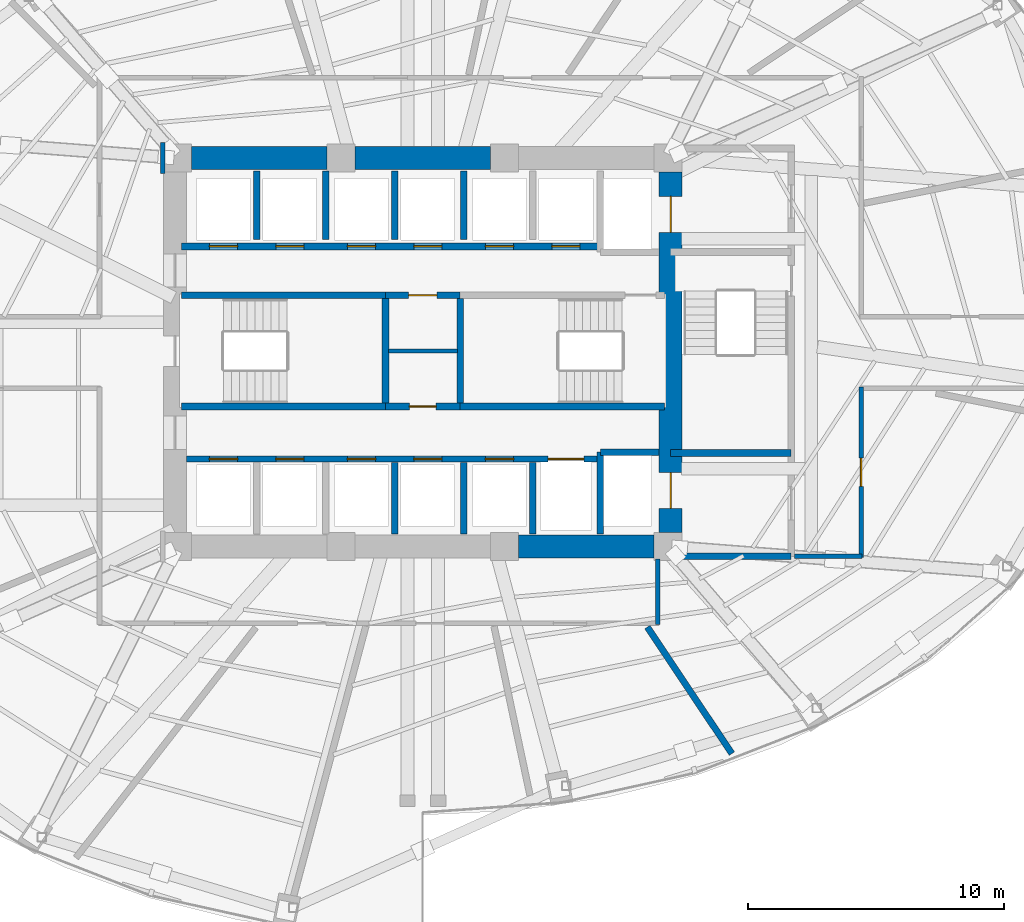
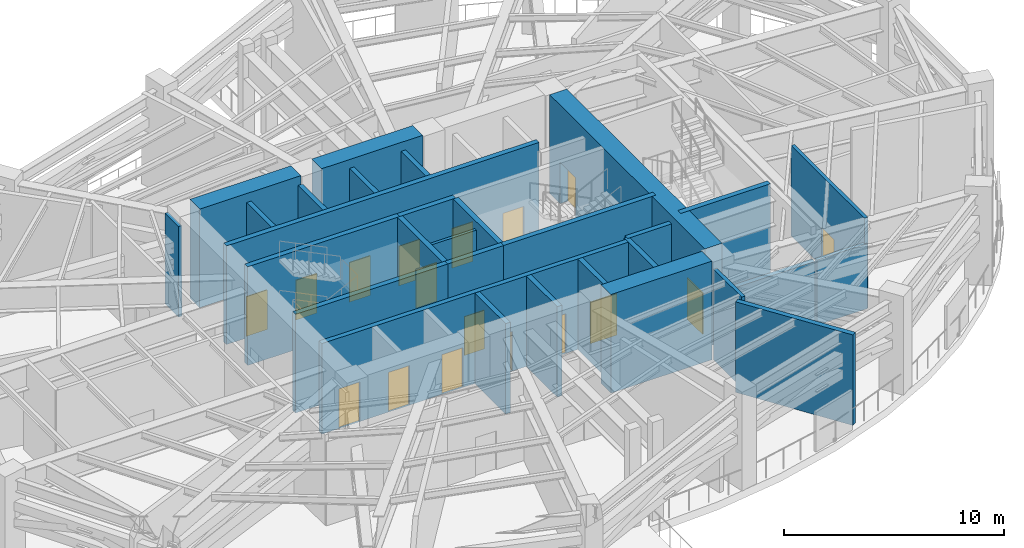
# One storey, part 9 of 14: 30 walls, 17 doors, 17 openings.
"""IFC4 building model written with IfcOpenShell, lengths in metres."""

from ifc_helpers import new_model, si_unit, direction, frame, frame_2d, origin, place, context, subcontext, project, spatial, rectangle, extrude, material, layer, layer_set, type_object, element, fill, save


model = new_model("IFC4")

# Units and contexts
model_context = context("Model", 3, precision=1e-05, world=origin(), true_north=direction((0.0, 1.0)))
body_context = subcontext(model_context, "Body", "Model", "MODEL_VIEW")
ifc_project = project(units=[si_unit("LENGTHUNIT", "METRE"), si_unit("AREAUNIT", "SQUARE_METRE"), si_unit("VOLUMEUNIT", "CUBIC_METRE"), si_unit("PLANEANGLEUNIT", "RADIAN"), si_unit("MASSUNIT", "GRAM", prefix="KILO")], contexts=[model_context])

# Site, building, storey
site_placement = place(None, origin())
site = spatial("IfcSite", under=ifc_project, at=site_placement, CompositionType="ELEMENT")
building_placement = place(site_placement, origin())
building = spatial("IfcBuilding", under=site, at=building_placement, Name="Lazwardi Medical Tower", CompositionType="ELEMENT")
storey_placement = place(building_placement, frame((0.0, 0.0, 76.27197265625)))
storey = spatial("IfcBuildingStorey", under=building, at=storey_placement, Name="L19", CompositionType="ELEMENT", Elevation=76.27197265625)

# Wall, opening, door
ifc_material_1 = material(Name="Fire-rated gypsum board on steel stud", Category="steel")
ifc_layer_1 = layer(ifc_material_1, 0.179931640625)
ifc_layer_set_1 = layer_set([ifc_layer_1], Name="Fire-rated gypsum board on steel stud")
wall_type_1 = type_object("IfcWallType", Name="WL-COR-180", PredefinedType="PARTITIONING", material=ifc_layer_set_1)
wall_1_placement = place(storey_placement, frame((53.14990234375, 26.639892578125, 0.0), z_axis=(0.0, 0.0, 1.0), x_axis=(0.0, -1.0, 0.0)))
wall_1 = element("IfcWall", 1, at=wall_1_placement, inside=storey, type_object=wall_type_1, Name="L19 Corridor partition 10", PredefinedType="PARTITIONING", context=body_context, shape_type="SweptSolid", body=[
    extrude(rectangle(XDim=6.659912109375, YDim=0.179931640625, at=frame_2d((3.330078125, 0.0))), origin(), (0.0, 0.0, 1.0), 5.02197265625),
])
opening_1_placement = place(wall_1_placement, frame((2.780029296875, 0.0, 0.0)))
opening_1 = element("IfcOpeningElement", 2, at=opening_1_placement, cuts=wall_1, Name="Opening D-L19-012", PredefinedType="OPENING", context=body_context, shape_type="SweptSolid", body=[
    extrude(rectangle(XDim=1.10009765625, YDim=2.14990234375, at=frame_2d((0.550048828125, 1.074951171875))), frame((0.0, 0.099853515625, 0.0), z_axis=(0.0, -1.0, 0.0), x_axis=(1.0, 0.0, 0.0)), (0.0, 0.0, 1.0), 0.199951171875),
])
ifc_material_2 = material(Name="Fire-rated steel leaf and frame", Category="steel")
door_type_1 = type_object("IfcDoorType", Name="DR-PLT-1100", OperationType="NOTDEFINED", PredefinedType="DOOR", material=ifc_material_2)
door_1_placement = place(opening_1_placement, origin())
door_1 = element("IfcDoor", 3, at=door_1_placement, inside=storey, type_object=door_type_1, Name="L19 Pump Room Door 06", OperationType="SINGLE_SWING_LEFT", OverallHeight=2.14990234375, OverallWidth=1.10009765625, PredefinedType="DOOR", context=body_context, shape_type="SweptSolid", body=[
    extrude(rectangle(XDim=1.10009765625, YDim=2.14990234375, at=frame_2d((0.550048828125, 1.074951171875))), frame((0.0, 0.02490234375, 0.0), z_axis=(0.0, -1.0, 0.0), x_axis=(1.0, 0.0, 0.0)), (0.0, 0.0, 1.0), 0.050048828125),
])
fill(opening_1, door_1)

# Walls
wall_2_placement = place(storey_placement, frame((53.18994140625, 20.02001953125, 0.0), z_axis=(0.0, 0.0, 1.0), x_axis=(-1.0, 0.0, 0.0)))
element("IfcWall", 4, at=wall_2_placement, inside=storey, type_object=wall_type_1, Name="L19 Corridor partition 11", PredefinedType="PARTITIONING", context=body_context, shape_type="SweptSolid", body=[
    extrude(rectangle(XDim=2.64990234375, YDim=0.179931640625, at=frame_2d((1.324951171875, 0.0))), origin(), (0.0, 0.0, 1.0), 3.60693359375),
])
wall_3_placement = place(storey_placement, frame((25.830078125, 36.2099609375, 0.0), z_axis=(0.0, 0.0, 1.0), x_axis=(0.0, -1.0, 0.0)))
element("IfcWall", 5, at=wall_3_placement, inside=storey, type_object=wall_type_1, Name="L19 Corridor partition 12", PredefinedType="PARTITIONING", context=body_context, shape_type="SweptSolid", body=[
    extrude(rectangle(XDim=1.219970703125, YDim=0.179931640625, at=frame_2d((0.60986328125, 0.0))), origin(), (0.0, 0.0, 1.0), 5.02197265625),
])
wall_4_placement = place(storey_placement, frame((45.199951171875, 19.909912109375, 0.0), z_axis=(0.0, 0.0, 1.0), x_axis=(0.0, -1.0, 0.0)))
element("IfcWall", 6, at=wall_4_placement, inside=storey, type_object=wall_type_1, Name="L19 Corridor partition 14", PredefinedType="PARTITIONING", context=body_context, shape_type="SweptSolid", body=[
    extrude(rectangle(XDim=2.5498046875, YDim=0.179931640625, at=frame_2d((1.27490234375, 0.0))), origin(), (0.0, 0.0, 1.0), 5.02197265625),
])

# Wall, openings, doors
ifc_material_3 = material(Name="Concrete C80/95", Category="concrete")
ifc_layer_2 = layer(ifc_material_3, 0.89990234375)
ifc_layer_set_2 = layer_set([ifc_layer_2], Name="Concrete C80/95")
wall_type_2 = type_object("IfcWallType", Name="WL-CORE-900", PredefinedType="SHEAR", material=ifc_layer_set_2)
wall_5_placement = place(storey_placement, frame((45.699951171875, 20.949951171875, 0.0), z_axis=(0.0, 0.0, 1.0), x_axis=(0.0, 1.0, 0.0)))
wall_5 = element("IfcWall", 7, at=wall_5_placement, inside=storey, type_object=wall_type_2, Name="Core wall CW-S1 east L19", PredefinedType="SHEAR", context=body_context, shape_type="SweptSolid", body=[
    extrude(rectangle(XDim=14.10009765625, YDim=0.89990234375, at=frame_2d((7.050048828125, 0.0))), origin(), (0.0, 0.0, 1.0), 5.471923828125),
])
opening_2_placement = place(wall_5_placement, frame((11.75, 0.0, 0.0)))
opening_2 = element("IfcOpeningElement", 8, at=opening_2_placement, cuts=wall_5, Name="Opening LD-L19-001", PredefinedType="OPENING", context=body_context, shape_type="SweptSolid", body=[
    extrude(rectangle(XDim=1.39990234375, YDim=2.300048828125, at=frame_2d((0.699951171875, 1.14990234375))), frame((0.0, 0.4599609375, 0.0), z_axis=(0.0, -1.0, 0.0), x_axis=(1.0, 0.0, 0.0)), (0.0, 0.0, 1.0), 0.919921875),
])
opening_3_placement = place(wall_5_placement, frame((0.949951171875, 0.0, 0.0)))
opening_3 = element("IfcOpeningElement", 9, at=opening_3_placement, cuts=wall_5, Name="Opening LD-L19-002", PredefinedType="OPENING", context=body_context, shape_type="SweptSolid", body=[
    extrude(rectangle(XDim=1.39990234375, YDim=2.300048828125, at=frame_2d((0.699951171875, 1.14990234375))), frame((0.0, 0.4599609375, 0.0), z_axis=(0.0, -1.0, 0.0), x_axis=(1.0, 0.0, 0.0)), (0.0, 0.0, 1.0), 0.919921875),
])
ifc_material_4 = material(Name="Brushed stainless steel bed-lift landing door", Category="steel")
door_type_2 = type_object("IfcDoorType", Name="DR-LFT-1400", OperationType="NOTDEFINED", PredefinedType="DOOR", material=ifc_material_4)
door_2_placement = place(opening_2_placement, origin())
door_2 = element("IfcDoor", 10, at=door_2_placement, inside=storey, type_object=door_type_2, Name="L19 Lift Landing Door FL-01", OperationType="SLIDING_TO_LEFT", OverallHeight=2.300048828125, OverallWidth=1.39990234375, PredefinedType="DOOR", context=body_context, shape_type="SweptSolid", body=[
    extrude(rectangle(XDim=1.39990234375, YDim=2.300048828125, at=frame_2d((0.699951171875, 1.14990234375))), frame((0.0, 0.02490234375, 0.0), z_axis=(0.0, -1.0, 0.0), x_axis=(1.0, 0.0, 0.0)), (0.0, 0.0, 1.0), 0.050048828125),
])
fill(opening_2, door_2)
door_3_placement = place(opening_3_placement, origin())
door_3 = element("IfcDoor", 11, at=door_3_placement, inside=storey, type_object=door_type_2, Name="L19 Lift Landing Door FL-02", OperationType="SLIDING_TO_LEFT", OverallHeight=2.300048828125, OverallWidth=1.39990234375, PredefinedType="DOOR", context=body_context, shape_type="SweptSolid", body=[
    extrude(rectangle(XDim=1.39990234375, YDim=2.300048828125, at=frame_2d((0.699951171875, 1.14990234375))), frame((0.0, 0.02490234375, 0.0), z_axis=(0.0, -1.0, 0.0), x_axis=(1.0, 0.0, 0.0)), (0.0, 0.0, 1.0), 0.050048828125),
])
fill(opening_3, door_3)

# Walls
wall_6_placement = place(storey_placement, frame((26.949951171875, 35.60009765625, 0.0), z_axis=(0.0, 0.0, 1.0), x_axis=(1.0, 0.0, 0.0)))
element("IfcWall", 12, at=wall_6_placement, inside=storey, type_object=wall_type_2, Name="Core wall CW-S1 N1 L19", PredefinedType="SHEAR", context=body_context, shape_type="SweptSolid", body=[
    extrude(rectangle(XDim=5.300048828125, YDim=0.89990234375, at=frame_2d((2.64990234375, 0.0))), origin(), (0.0, 0.0, 1.0), 5.471923828125),
])
wall_7_placement = place(storey_placement, frame((33.35009765625, 35.60009765625, 0.0), z_axis=(0.0, 0.0, 1.0), x_axis=(1.0, 0.0, 0.0)))
element("IfcWall", 13, at=wall_7_placement, inside=storey, type_object=wall_type_2, Name="Core wall CW-S1 N2 L19", PredefinedType="SHEAR", context=body_context, shape_type="SweptSolid", body=[
    extrude(rectangle(XDim=5.2998046875, YDim=0.89990234375, at=frame_2d((2.64990234375, 0.0))), origin(), (0.0, 0.0, 1.0), 5.471923828125),
])
wall_8_placement = place(storey_placement, frame((39.75, 20.39990234375, 0.0), z_axis=(0.0, 0.0, 1.0), x_axis=(1.0, 0.0, 0.0)))
element("IfcWall", 14, at=wall_8_placement, inside=storey, type_object=wall_type_2, Name="Core wall CW-S1 S3 L19", PredefinedType="SHEAR", context=body_context, shape_type="SweptSolid", body=[
    extrude(rectangle(XDim=5.300048828125, YDim=0.89990234375, at=frame_2d((2.64990234375, 0.0))), origin(), (0.0, 0.0, 1.0), 5.471923828125),
])

# Wall, openings, doors
ifc_material_5 = material(Name="Autoclaved aerated concrete blockwork", Category="masonry")
ifc_layer_3 = layer(ifc_material_5, 0.25)
ifc_layer_set_3 = layer_set([ifc_layer_3], Name="Autoclaved aerated concrete blockwork")
wall_type_3 = type_object("IfcWallType", Name="WL-SHAFT-250", PredefinedType="SOLIDWALL", material=ifc_layer_set_3)
wall_9_placement = place(storey_placement, frame((26.75, 23.830078125, 0.0), z_axis=(0.0, 0.0, 1.0), x_axis=(1.0, 0.0, 0.0)))
wall_9 = element("IfcWall", 15, at=wall_9_placement, inside=storey, type_object=wall_type_3, Name="L19 South lift bank front wall", PredefinedType="SOLIDWALL", context=body_context, shape_type="SweptSolid", body=[
    extrude(rectangle(XDim=16.199951171875, YDim=0.25, at=frame_2d((8.10009765625, 0.0))), origin(), (0.0, 0.0, 1.0), 5.02197265625),
])
opening_4_placement = place(wall_9_placement, frame((0.89990234375, 0.0, 0.0)))
opening_4 = element("IfcOpeningElement", 16, at=opening_4_placement, cuts=wall_9, Name="Opening LD-L19-006", PredefinedType="OPENING", context=body_context, shape_type="SweptSolid", body=[
    extrude(rectangle(XDim=1.10009765625, YDim=2.199951171875, at=frame_2d((0.550048828125, 1.10009765625))), frame((0.0, 0.135009765625, 0.0), z_axis=(0.0, -1.0, 0.0), x_axis=(1.0, 0.0, 0.0)), (0.0, 0.0, 1.0), 0.27001953125),
])
opening_5_placement = place(wall_9_placement, frame((3.5, 0.0, 0.0)))
opening_5 = element("IfcOpeningElement", 17, at=opening_5_placement, cuts=wall_9, Name="Opening LD-L19-007", PredefinedType="OPENING", context=body_context, shape_type="SweptSolid", body=[
    extrude(rectangle(XDim=1.10009765625, YDim=2.199951171875, at=frame_2d((0.550048828125, 1.10009765625))), frame((0.0, 0.135009765625, 0.0), z_axis=(0.0, -1.0, 0.0), x_axis=(1.0, 0.0, 0.0)), (0.0, 0.0, 1.0), 0.27001953125),
])
opening_6_placement = place(wall_9_placement, frame((6.300048828125, 0.0, 0.0)))
opening_6 = element("IfcOpeningElement", 18, at=opening_6_placement, cuts=wall_9, Name="Opening LD-L19-010", PredefinedType="OPENING", context=body_context, shape_type="SweptSolid", body=[
    extrude(rectangle(XDim=1.10009765625, YDim=2.199951171875, at=frame_2d((0.550048828125, 1.10009765625))), frame((0.0, 0.135009765625, 0.0), z_axis=(0.0, -1.0, 0.0), x_axis=(1.0, 0.0, 0.0)), (0.0, 0.0, 1.0), 0.27001953125),
])
opening_7_placement = place(wall_9_placement, frame((8.89990234375, 0.0, 0.0)))
opening_7 = element("IfcOpeningElement", 19, at=opening_7_placement, cuts=wall_9, Name="Opening LD-L19-011", PredefinedType="OPENING", context=body_context, shape_type="SweptSolid", body=[
    extrude(rectangle(XDim=1.10009765625, YDim=2.199951171875, at=frame_2d((0.550048828125, 1.10009765625))), frame((0.0, 0.135009765625, 0.0), z_axis=(0.0, -1.0, 0.0), x_axis=(1.0, 0.0, 0.0)), (0.0, 0.0, 1.0), 0.27001953125),
])
opening_8_placement = place(wall_9_placement, frame((11.699951171875, 0.0, 0.0)))
opening_8 = element("IfcOpeningElement", 20, at=opening_8_placement, cuts=wall_9, Name="Opening LD-L19-014", PredefinedType="OPENING", context=body_context, shape_type="SweptSolid", body=[
    extrude(rectangle(XDim=1.10009765625, YDim=2.199951171875, at=frame_2d((0.550048828125, 1.10009765625))), frame((0.0, 0.135009765625, 0.0), z_axis=(0.0, -1.0, 0.0), x_axis=(1.0, 0.0, 0.0)), (0.0, 0.0, 1.0), 0.27001953125),
])
opening_9_placement = place(wall_9_placement, frame((14.14990234375, 0.0, 0.0)))
opening_9 = element("IfcOpeningElement", 21, at=opening_9_placement, cuts=wall_9, Name="Opening LD-L19-003", PredefinedType="OPENING", context=body_context, shape_type="SweptSolid", body=[
    extrude(rectangle(XDim=1.39990234375, YDim=2.300048828125, at=frame_2d((0.699951171875, 1.14990234375))), frame((0.0, 0.135009765625, 0.0), z_axis=(0.0, -1.0, 0.0), x_axis=(1.0, 0.0, 0.0)), (0.0, 0.0, 1.0), 0.27001953125),
])
ifc_material_6 = material(Name="Brushed bronze stainless steel landing door", Category="steel")
door_type_3 = type_object("IfcDoorType", Name="DR-LFT-1100", OperationType="NOTDEFINED", PredefinedType="DOOR", material=ifc_material_6)
door_4_placement = place(opening_4_placement, origin())
door_4 = element("IfcDoor", 22, at=door_4_placement, inside=storey, type_object=door_type_3, Name="L19 Lift Landing Door PL-03", OperationType="SLIDING_TO_LEFT", OverallHeight=2.199951171875, OverallWidth=1.10009765625, PredefinedType="DOOR", context=body_context, shape_type="SweptSolid", body=[
    extrude(rectangle(XDim=1.10009765625, YDim=2.199951171875, at=frame_2d((0.550048828125, 1.10009765625))), frame((0.0, 0.02490234375, 0.0), z_axis=(0.0, -1.0, 0.0), x_axis=(1.0, 0.0, 0.0)), (0.0, 0.0, 1.0), 0.050048828125),
])
fill(opening_4, door_4)
door_5_placement = place(opening_5_placement, origin())
door_5 = element("IfcDoor", 23, at=door_5_placement, inside=storey, type_object=door_type_3, Name="L19 Lift Landing Door PL-04", OperationType="SLIDING_TO_LEFT", OverallHeight=2.199951171875, OverallWidth=1.10009765625, PredefinedType="DOOR", context=body_context, shape_type="SweptSolid", body=[
    extrude(rectangle(XDim=1.10009765625, YDim=2.199951171875, at=frame_2d((0.550048828125, 1.10009765625))), frame((0.0, 0.02490234375, 0.0), z_axis=(0.0, -1.0, 0.0), x_axis=(1.0, 0.0, 0.0)), (0.0, 0.0, 1.0), 0.050048828125),
])
fill(opening_5, door_5)
door_6_placement = place(opening_6_placement, origin())
door_6 = element("IfcDoor", 24, at=door_6_placement, inside=storey, type_object=door_type_3, Name="L19 Lift Landing Door PL-07", OperationType="SLIDING_TO_LEFT", OverallHeight=2.199951171875, OverallWidth=1.10009765625, PredefinedType="DOOR", context=body_context, shape_type="SweptSolid", body=[
    extrude(rectangle(XDim=1.10009765625, YDim=2.199951171875, at=frame_2d((0.550048828125, 1.10009765625))), frame((0.0, 0.02490234375, 0.0), z_axis=(0.0, -1.0, 0.0), x_axis=(1.0, 0.0, 0.0)), (0.0, 0.0, 1.0), 0.050048828125),
])
fill(opening_6, door_6)
door_7_placement = place(opening_7_placement, origin())
door_7 = element("IfcDoor", 25, at=door_7_placement, inside=storey, type_object=door_type_3, Name="L19 Lift Landing Door PL-08", OperationType="SLIDING_TO_LEFT", OverallHeight=2.199951171875, OverallWidth=1.10009765625, PredefinedType="DOOR", context=body_context, shape_type="SweptSolid", body=[
    extrude(rectangle(XDim=1.10009765625, YDim=2.199951171875, at=frame_2d((0.550048828125, 1.10009765625))), frame((0.0, 0.02490234375, 0.0), z_axis=(0.0, -1.0, 0.0), x_axis=(1.0, 0.0, 0.0)), (0.0, 0.0, 1.0), 0.050048828125),
])
fill(opening_7, door_7)
door_8_placement = place(opening_8_placement, origin())
door_8 = element("IfcDoor", 26, at=door_8_placement, inside=storey, type_object=door_type_3, Name="L19 Lift Landing Door PL-11", OperationType="SLIDING_TO_LEFT", OverallHeight=2.199951171875, OverallWidth=1.10009765625, PredefinedType="DOOR", context=body_context, shape_type="SweptSolid", body=[
    extrude(rectangle(XDim=1.10009765625, YDim=2.199951171875, at=frame_2d((0.550048828125, 1.10009765625))), frame((0.0, 0.02490234375, 0.0), z_axis=(0.0, -1.0, 0.0), x_axis=(1.0, 0.0, 0.0)), (0.0, 0.0, 1.0), 0.050048828125),
])
fill(opening_8, door_8)
door_9_placement = place(opening_9_placement, origin())
door_9 = element("IfcDoor", 27, at=door_9_placement, inside=storey, type_object=door_type_2, Name="L19 Lift Landing Door FL-03", OperationType="SLIDING_TO_LEFT", OverallHeight=2.300048828125, OverallWidth=1.39990234375, PredefinedType="DOOR", context=body_context, shape_type="SweptSolid", body=[
    extrude(rectangle(XDim=1.39990234375, YDim=2.300048828125, at=frame_2d((0.699951171875, 1.14990234375))), frame((0.0, 0.02490234375, 0.0), z_axis=(0.0, -1.0, 0.0), x_axis=(1.0, 0.0, 0.0)), (0.0, 0.0, 1.0), 0.050048828125),
])
fill(opening_9, door_9)

# Walls
wall_10_placement = place(storey_placement, frame((42.949951171875, 20.89990234375, 0.0), z_axis=(0.0, 0.0, 1.0), x_axis=(0.0, 1.0, 0.0)))
element("IfcWall", 28, at=wall_10_placement, inside=storey, type_object=wall_type_3, Name="L19 FL-02 West shaft wall", PredefinedType="SOLIDWALL", context=body_context, shape_type="SweptSolid", body=[
    extrude(rectangle(XDim=3.2001953125, YDim=0.25, at=frame_2d((1.60009765625, 0.0))), origin(), (0.0, 0.0, 1.0), 5.02197265625),
])
wall_11_placement = place(storey_placement, frame((42.949951171875, 24.10009765625, 0.0), z_axis=(0.0, 0.0, 1.0), x_axis=(1.0, 0.0, 0.0)))
element("IfcWall", 29, at=wall_11_placement, inside=storey, type_object=wall_type_3, Name="L19 FL-02 North shaft wall", PredefinedType="SOLIDWALL", context=body_context, shape_type="SweptSolid", body=[
    extrude(rectangle(XDim=2.300048828125, YDim=0.25, at=frame_2d((1.14990234375, 0.0))), origin(), (0.0, 0.0, 1.0), 5.02197265625),
])
for number, where, z_axis, x_axis, name in (
    (30, (29.5, 32.419921875, 0.0), (0.0, 0.0, 1.0), (0.0, 1.0, 0.0), "L19 North hoistway divider"),
    (31, (32.199951171875, 32.419921875, 0.0), (0.0, 0.0, 1.0), (0.0, 1.0, 0.0), "L19 North hoistway divider"),
    (32, (34.89990234375, 32.419921875, 0.0), (0.0, 0.0, 1.0), (0.0, 1.0, 0.0), "L19 North hoistway divider"),
):
    element("IfcWall", number, at=place(storey_placement, frame(where, z_axis=z_axis, x_axis=x_axis)), inside=storey, type_object=wall_type_3, Name=name, PredefinedType="SOLIDWALL", context=body_context, shape_type="SweptSolid", body=[
        extrude(rectangle(XDim=2.68017578125, YDim=0.25, at=frame_2d((1.340087890625, 0.0))), origin(), (0.0, 0.0, 1.0), 5.02197265625),
    ])
wall_12_placement = place(storey_placement, frame((34.89990234375, 20.89990234375, 0.0), z_axis=(0.0, 0.0, 1.0), x_axis=(0.0, 1.0, 0.0)))
element("IfcWall", 33, at=wall_12_placement, inside=storey, type_object=wall_type_3, Name="L19 South hoistway divider", PredefinedType="SOLIDWALL", context=body_context, shape_type="SweptSolid", body=[
    extrude(rectangle(XDim=2.800048828125, YDim=0.25, at=frame_2d((1.39990234375, 0.0))), origin(), (0.0, 0.0, 1.0), 5.02197265625),
])
wall_13_placement = place(storey_placement, frame((37.60009765625, 32.419921875, 0.0), z_axis=(0.0, 0.0, 1.0), x_axis=(0.0, 1.0, 0.0)))
element("IfcWall", 34, at=wall_13_placement, inside=storey, type_object=wall_type_3, Name="L19 North hoistway divider", PredefinedType="SOLIDWALL", context=body_context, shape_type="SweptSolid", body=[
    extrude(rectangle(XDim=2.68017578125, YDim=0.25, at=frame_2d((1.340087890625, 0.0))), origin(), (0.0, 0.0, 1.0), 5.02197265625),
])
for number, where, z_axis, x_axis, name in (
    (35, (37.60009765625, 20.89990234375, 0.0), (0.0, 0.0, 1.0), (0.0, 1.0, 0.0), "L19 South hoistway divider"),
    (36, (40.300048828125, 20.89990234375, 0.0), (0.0, 0.0, 1.0), (0.0, 1.0, 0.0), "L19 South hoistway divider"),
):
    element("IfcWall", number, at=place(storey_placement, frame(where, z_axis=z_axis, x_axis=x_axis)), inside=storey, type_object=wall_type_3, Name=name, PredefinedType="SOLIDWALL", context=body_context, shape_type="SweptSolid", body=[
        extrude(rectangle(XDim=2.800048828125, YDim=0.25, at=frame_2d((1.39990234375, 0.0))), origin(), (0.0, 0.0, 1.0), 5.02197265625),
    ])
wall_14_placement = place(storey_placement, frame((45.699951171875, 20.02001953125, 0.0), z_axis=(0.0, 0.0, 1.0), x_axis=(1.0, 0.0, 0.0)))
element("IfcWall", 37, at=wall_14_placement, inside=storey, type_object=wall_type_3, Name="L19 FFL-S South wall", PredefinedType="SOLIDWALL", context=body_context, shape_type="SweptSolid", body=[
    extrude(rectangle(XDim=4.715087890625, YDim=0.25, at=frame_2d((2.357421875, 0.0))), origin(), (0.0, 0.0, 1.0), 3.60693359375),
])
wall_15_placement = place(storey_placement, frame((44.7841796875, 17.25341796875, 0.0), z_axis=(0.0, 0.0, 1.0), x_axis=(0.555580181492, -0.83146296486, 0.0)))
element("IfcWall", 38, at=wall_15_placement, inside=storey, type_object=wall_type_3, Name="L19 Room partition 2", PredefinedType="SOLIDWALL", context=body_context, shape_type="SweptSolid", body=[
    extrude(rectangle(XDim=5.9521484375, YDim=0.25, at=frame_2d((2.97607421875, 0.0))), origin(), (0.0, 0.0, 1.0), 5.02197265625),
])
ifc_material_7 = material(Name="Concrete C50/60", Category="concrete")
ifc_layer_4 = layer(ifc_material_7, 0.27001953125)
ifc_layer_set_4 = layer_set([ifc_layer_4], Name="Concrete C50/60")
wall_type_4 = type_object("IfcWallType", Name="WL-STR-250", PredefinedType="SHEAR", material=ifc_layer_set_4)
wall_16_placement = place(storey_placement, frame((26.550048828125, 30.235107421875, 0.0), z_axis=(0.0, 0.0, 1.0), x_axis=(1.0, 0.0, 0.0)))
element("IfcWall", 39, at=wall_16_placement, inside=storey, type_object=wall_type_4, Name="L19 ST1 North shear shaft wall SW-S1", PredefinedType="SHEAR", context=body_context, shape_type="SweptSolid", body=[
    extrude(rectangle(XDim=7.98486328125, YDim=0.27001953125, at=frame_2d((3.992431640625, 0.0))), origin(), (0.0, 0.0, 1.0), 5.471923828125),
])

# Wall, opening, door
wall_17_placement = place(storey_placement, frame((34.534912109375, 30.235107421875, 0.0), z_axis=(0.0, 0.0, 1.0), x_axis=(1.0, 0.0, 0.0)))
wall_17 = element("IfcWall", 40, at=wall_17_placement, inside=storey, type_object=wall_type_4, Name="L19 Core service North shear wall SW-S1", PredefinedType="SHEAR", context=body_context, shape_type="SweptSolid", body=[
    extrude(rectangle(XDim=2.93017578125, YDim=0.27001953125, at=frame_2d((1.465087890625, 0.0))), origin(), (0.0, 0.0, 1.0), 5.471923828125),
])
opening_10_placement = place(wall_17_placement, frame((0.9150390625, 0.0, 0.0)))
opening_10 = element("IfcOpeningElement", 41, at=opening_10_placement, cuts=wall_17, Name="Opening D-L19-002", PredefinedType="OPENING", context=body_context, shape_type="SweptSolid", body=[
    extrude(rectangle(XDim=1.10009765625, YDim=2.14990234375, at=frame_2d((0.550048828125, 1.074951171875))), frame((0.0, 0.14501953125, 0.0), z_axis=(0.0, -1.0, 0.0), x_axis=(1.0, 0.0, 0.0)), (0.0, 0.0, 1.0), 0.2900390625),
])
door_10_placement = place(opening_10_placement, origin())
door_10 = element("IfcDoor", 42, at=door_10_placement, inside=storey, type_object=door_type_1, Name="L19 Electrical Room Door", OperationType="SINGLE_SWING_RIGHT", OverallHeight=2.14990234375, OverallWidth=1.10009765625, PredefinedType="DOOR", context=body_context, shape_type="SweptSolid", body=[
    extrude(rectangle(XDim=1.10009765625, YDim=2.14990234375, at=frame_2d((0.550048828125, 1.074951171875))), frame((0.0, 0.02490234375, 0.0), z_axis=(0.0, -1.0, 0.0), x_axis=(1.0, 0.0, 0.0)), (0.0, 0.0, 1.0), 0.050048828125),
])
fill(opening_10, door_10)

# Wall
wall_18_placement = place(storey_placement, frame((26.550048828125, 25.885009765625, 0.0), z_axis=(0.0, 0.0, 1.0), x_axis=(1.0, 0.0, 0.0)))
element("IfcWall", 43, at=wall_18_placement, inside=storey, type_object=wall_type_4, Name="L19 ST1 South shear shaft wall SW-S1", PredefinedType="SHEAR", context=body_context, shape_type="SweptSolid", body=[
    extrude(rectangle(XDim=7.98486328125, YDim=0.27001953125, at=frame_2d((3.992431640625, 0.0))), origin(), (0.0, 0.0, 1.0), 5.471923828125),
])

# Wall, opening, door
wall_19_placement = place(storey_placement, frame((34.534912109375, 25.885009765625, 0.0), z_axis=(0.0, 0.0, 1.0), x_axis=(1.0, 0.0, 0.0)))
wall_19 = element("IfcWall", 44, at=wall_19_placement, inside=storey, type_object=wall_type_4, Name="L19 Core service South shear wall SW-S1", PredefinedType="SHEAR", context=body_context, shape_type="SweptSolid", body=[
    extrude(rectangle(XDim=2.93017578125, YDim=0.27001953125, at=frame_2d((1.465087890625, 0.0))), origin(), (0.0, 0.0, 1.0), 5.471923828125),
])
opening_11_placement = place(wall_19_placement, frame((0.93994140625, 0.0, 0.0)))
opening_11 = element("IfcOpeningElement", 45, at=opening_11_placement, cuts=wall_19, Name="Opening D-L19-001", PredefinedType="OPENING", context=body_context, shape_type="SweptSolid", body=[
    extrude(rectangle(XDim=1.050048828125, YDim=2.14990234375, at=frame_2d((0.52490234375, 1.074951171875))), frame((0.0, 0.14501953125, 0.0), z_axis=(0.0, -1.0, 0.0), x_axis=(1.0, 0.0, 0.0)), (0.0, 0.0, 1.0), 0.2900390625),
])
ifc_material_8 = material(Name="Anti-microbial laminate hospital leaf")
door_type_4 = type_object("IfcDoorType", Name="DR-CLN-1050", OperationType="NOTDEFINED", PredefinedType="DOOR", material=ifc_material_8)
door_11_placement = place(opening_11_placement, origin())
door_11 = element("IfcDoor", 46, at=door_11_placement, inside=storey, type_object=door_type_4, Name="L19 Dirty Sluice Door", OperationType="SINGLE_SWING_LEFT", OverallHeight=2.14990234375, OverallWidth=1.050048828125, PredefinedType="DOOR", context=body_context, shape_type="SweptSolid", body=[
    extrude(rectangle(XDim=1.050048828125, YDim=2.14990234375, at=frame_2d((0.52490234375, 1.074951171875))), frame((0.0, 0.02490234375, 0.0), z_axis=(0.0, -1.0, 0.0), x_axis=(1.0, 0.0, 0.0)), (0.0, 0.0, 1.0), 0.050048828125),
])
fill(opening_11, door_11)

# Walls
wall_20_placement = place(storey_placement, frame((37.465087890625, 25.885009765625, 0.0), z_axis=(0.0, 0.0, 1.0), x_axis=(1.0, 0.0, 0.0)))
element("IfcWall", 47, at=wall_20_placement, inside=storey, type_object=wall_type_4, Name="L19 ST2 South shear shaft wall SW-S1", PredefinedType="SHEAR", context=body_context, shape_type="SweptSolid", body=[
    extrude(rectangle(XDim=7.98486328125, YDim=0.27001953125, at=frame_2d((3.992431640625, 0.0))), origin(), (0.0, 0.0, 1.0), 5.471923828125),
])
for number, where, z_axis, x_axis, name in (
    (48, (34.534912109375, 26.02001953125, 0.0), (0.0, 0.0, 1.0), (0.0, 1.0, 0.0), "L19 ST1 East shear shaft wall SW-S1"),
    (49, (37.465087890625, 26.02001953125, 0.0), (0.0, 0.0, 1.0), (0.0, 1.0, 0.0), "L19 ST2 West shear shaft wall SW-S1"),
):
    element("IfcWall", number, at=place(storey_placement, frame(where, z_axis=z_axis, x_axis=x_axis)), inside=storey, type_object=wall_type_4, Name=name, PredefinedType="SHEAR", context=body_context, shape_type="SweptSolid", body=[
        extrude(rectangle(XDim=4.080078125, YDim=0.27001953125, at=frame_2d((2.0400390625, 0.0))), origin(), (0.0, 0.0, 1.0), 5.471923828125),
    ])

# Wall, openings, doors
wall_21_placement = place(storey_placement, frame((26.550048828125, 32.14990234375, 0.0), z_axis=(0.0, 0.0, 1.0), x_axis=(1.0, 0.0, 0.0)))
wall_21 = element("IfcWall", 50, at=wall_21_placement, inside=storey, type_object=wall_type_4, Name="L19 North lift bank shear wall SW-S1", PredefinedType="SHEAR", context=body_context, shape_type="SweptSolid", body=[
    extrude(rectangle(XDim=16.39990234375, YDim=0.27001953125, at=frame_2d((8.199951171875, 0.0))), origin(), (0.0, 0.0, 1.0), 5.471923828125),
])
opening_12_placement = place(wall_21_placement, frame((1.10009765625, 0.0, 0.0)))
opening_12 = element("IfcOpeningElement", 51, at=opening_12_placement, cuts=wall_21, Name="Opening LD-L19-004", PredefinedType="OPENING", context=body_context, shape_type="SweptSolid", body=[
    extrude(rectangle(XDim=1.10009765625, YDim=2.199951171875, at=frame_2d((0.550048828125, 1.10009765625))), frame((0.0, 0.14501953125, 0.0), z_axis=(0.0, -1.0, 0.0), x_axis=(1.0, 0.0, 0.0)), (0.0, 0.0, 1.0), 0.2900390625),
])
opening_13_placement = place(wall_21_placement, frame((3.699951171875, 0.0, 0.0)))
opening_13 = element("IfcOpeningElement", 52, at=opening_13_placement, cuts=wall_21, Name="Opening LD-L19-005", PredefinedType="OPENING", context=body_context, shape_type="SweptSolid", body=[
    extrude(rectangle(XDim=1.10009765625, YDim=2.199951171875, at=frame_2d((0.550048828125, 1.10009765625))), frame((0.0, 0.14501953125, 0.0), z_axis=(0.0, -1.0, 0.0), x_axis=(1.0, 0.0, 0.0)), (0.0, 0.0, 1.0), 0.2900390625),
])
opening_14_placement = place(wall_21_placement, frame((6.5, 0.0, 0.0)))
opening_14 = element("IfcOpeningElement", 53, at=opening_14_placement, cuts=wall_21, Name="Opening LD-L19-008", PredefinedType="OPENING", context=body_context, shape_type="SweptSolid", body=[
    extrude(rectangle(XDim=1.10009765625, YDim=2.199951171875, at=frame_2d((0.550048828125, 1.10009765625))), frame((0.0, 0.14501953125, 0.0), z_axis=(0.0, -1.0, 0.0), x_axis=(1.0, 0.0, 0.0)), (0.0, 0.0, 1.0), 0.2900390625),
])
opening_15_placement = place(wall_21_placement, frame((9.10009765625, 0.0, 0.0)))
opening_15 = element("IfcOpeningElement", 54, at=opening_15_placement, cuts=wall_21, Name="Opening LD-L19-009", PredefinedType="OPENING", context=body_context, shape_type="SweptSolid", body=[
    extrude(rectangle(XDim=1.10009765625, YDim=2.199951171875, at=frame_2d((0.550048828125, 1.10009765625))), frame((0.0, 0.14501953125, 0.0), z_axis=(0.0, -1.0, 0.0), x_axis=(1.0, 0.0, 0.0)), (0.0, 0.0, 1.0), 0.2900390625),
])
opening_16_placement = place(wall_21_placement, frame((11.89990234375, 0.0, 0.0)))
opening_16 = element("IfcOpeningElement", 55, at=opening_16_placement, cuts=wall_21, Name="Opening LD-L19-012", PredefinedType="OPENING", context=body_context, shape_type="SweptSolid", body=[
    extrude(rectangle(XDim=1.10009765625, YDim=2.199951171875, at=frame_2d((0.550048828125, 1.10009765625))), frame((0.0, 0.14501953125, 0.0), z_axis=(0.0, -1.0, 0.0), x_axis=(1.0, 0.0, 0.0)), (0.0, 0.0, 1.0), 0.2900390625),
])
opening_17_placement = place(wall_21_placement, frame((14.5, 0.0, 0.0)))
opening_17 = element("IfcOpeningElement", 56, at=opening_17_placement, cuts=wall_21, Name="Opening LD-L19-013", PredefinedType="OPENING", context=body_context, shape_type="SweptSolid", body=[
    extrude(rectangle(XDim=1.10009765625, YDim=2.199951171875, at=frame_2d((0.550048828125, 1.10009765625))), frame((0.0, 0.14501953125, 0.0), z_axis=(0.0, -1.0, 0.0), x_axis=(1.0, 0.0, 0.0)), (0.0, 0.0, 1.0), 0.2900390625),
])
door_12_placement = place(opening_12_placement, origin())
door_12 = element("IfcDoor", 57, at=door_12_placement, inside=storey, type_object=door_type_3, Name="L19 Lift Landing Door PL-01", OperationType="SLIDING_TO_LEFT", OverallHeight=2.199951171875, OverallWidth=1.10009765625, PredefinedType="DOOR", context=body_context, shape_type="SweptSolid", body=[
    extrude(rectangle(XDim=1.10009765625, YDim=2.199951171875, at=frame_2d((0.550048828125, 1.10009765625))), frame((0.0, 0.02490234375, 0.0), z_axis=(0.0, -1.0, 0.0), x_axis=(1.0, 0.0, 0.0)), (0.0, 0.0, 1.0), 0.050048828125),
])
fill(opening_12, door_12)
door_13_placement = place(opening_13_placement, origin())
door_13 = element("IfcDoor", 58, at=door_13_placement, inside=storey, type_object=door_type_3, Name="L19 Lift Landing Door PL-02", OperationType="SLIDING_TO_LEFT", OverallHeight=2.199951171875, OverallWidth=1.10009765625, PredefinedType="DOOR", context=body_context, shape_type="SweptSolid", body=[
    extrude(rectangle(XDim=1.10009765625, YDim=2.199951171875, at=frame_2d((0.550048828125, 1.10009765625))), frame((0.0, 0.02490234375, 0.0), z_axis=(0.0, -1.0, 0.0), x_axis=(1.0, 0.0, 0.0)), (0.0, 0.0, 1.0), 0.050048828125),
])
fill(opening_13, door_13)
door_14_placement = place(opening_14_placement, origin())
door_14 = element("IfcDoor", 59, at=door_14_placement, inside=storey, type_object=door_type_3, Name="L19 Lift Landing Door PL-05", OperationType="SLIDING_TO_LEFT", OverallHeight=2.199951171875, OverallWidth=1.10009765625, PredefinedType="DOOR", context=body_context, shape_type="SweptSolid", body=[
    extrude(rectangle(XDim=1.10009765625, YDim=2.199951171875, at=frame_2d((0.550048828125, 1.10009765625))), frame((0.0, 0.02490234375, 0.0), z_axis=(0.0, -1.0, 0.0), x_axis=(1.0, 0.0, 0.0)), (0.0, 0.0, 1.0), 0.050048828125),
])
fill(opening_14, door_14)
door_15_placement = place(opening_15_placement, origin())
door_15 = element("IfcDoor", 60, at=door_15_placement, inside=storey, type_object=door_type_3, Name="L19 Lift Landing Door PL-06", OperationType="SLIDING_TO_LEFT", OverallHeight=2.199951171875, OverallWidth=1.10009765625, PredefinedType="DOOR", context=body_context, shape_type="SweptSolid", body=[
    extrude(rectangle(XDim=1.10009765625, YDim=2.199951171875, at=frame_2d((0.550048828125, 1.10009765625))), frame((0.0, 0.02490234375, 0.0), z_axis=(0.0, -1.0, 0.0), x_axis=(1.0, 0.0, 0.0)), (0.0, 0.0, 1.0), 0.050048828125),
])
fill(opening_15, door_15)
door_16_placement = place(opening_16_placement, origin())
door_16 = element("IfcDoor", 61, at=door_16_placement, inside=storey, type_object=door_type_3, Name="L19 Lift Landing Door PL-09", OperationType="SLIDING_TO_LEFT", OverallHeight=2.199951171875, OverallWidth=1.10009765625, PredefinedType="DOOR", context=body_context, shape_type="SweptSolid", body=[
    extrude(rectangle(XDim=1.10009765625, YDim=2.199951171875, at=frame_2d((0.550048828125, 1.10009765625))), frame((0.0, 0.02490234375, 0.0), z_axis=(0.0, -1.0, 0.0), x_axis=(1.0, 0.0, 0.0)), (0.0, 0.0, 1.0), 0.050048828125),
])
fill(opening_16, door_16)
door_17_placement = place(opening_17_placement, origin())
door_17 = element("IfcDoor", 62, at=door_17_placement, inside=storey, type_object=door_type_3, Name="L19 Lift Landing Door PL-10", OperationType="SLIDING_TO_LEFT", OverallHeight=2.199951171875, OverallWidth=1.10009765625, PredefinedType="DOOR", context=body_context, shape_type="SweptSolid", body=[
    extrude(rectangle(XDim=1.10009765625, YDim=2.199951171875, at=frame_2d((0.550048828125, 1.10009765625))), frame((0.0, 0.02490234375, 0.0), z_axis=(0.0, -1.0, 0.0), x_axis=(1.0, 0.0, 0.0)), (0.0, 0.0, 1.0), 0.050048828125),
])
fill(opening_17, door_17)

# Walls
wall_22_placement = place(storey_placement, frame((45.699951171875, 24.06494140625, 0.0), z_axis=(0.0, 0.0, 1.0), x_axis=(1.0, 0.0, 0.0)))
element("IfcWall", 63, at=wall_22_placement, inside=storey, type_object=wall_type_4, Name="L19 ST3 South shear shaft wall SW-S1", PredefinedType="SHEAR", context=body_context, shape_type="SweptSolid", body=[
    extrude(rectangle(XDim=4.715087890625, YDim=0.27001953125, at=frame_2d((2.357421875, 0.0))), origin(), (0.0, 0.0, 1.0), 5.471923828125),
])
ifc_material_9 = material(Name="Acoustic gypsum board partition")
ifc_layer_5 = layer(ifc_material_9, 0.14990234375)
ifc_layer_set_5 = layer_set([ifc_layer_5], Name="Acoustic gypsum board partition")
wall_type_5 = type_object("IfcWallType", Name="WL-WRD-150", PredefinedType="PARTITIONING", material=ifc_layer_set_5)
wall_23_placement = place(storey_placement, frame((34.64990234375, 28.06005859375, 0.0), z_axis=(0.0, 0.0, 1.0), x_axis=(1.0, 0.0, 0.0)))
element("IfcWall", 64, at=wall_23_placement, inside=storey, type_object=wall_type_5, Name="L19 Core service divider", PredefinedType="PARTITIONING", context=body_context, shape_type="SweptSolid", body=[
    extrude(rectangle(XDim=2.7001953125, YDim=0.14990234375, at=frame_2d((1.35009765625, 0.0))), origin(), (0.0, 0.0, 1.0), 5.02197265625),
])

save(model, "model.ifc")
